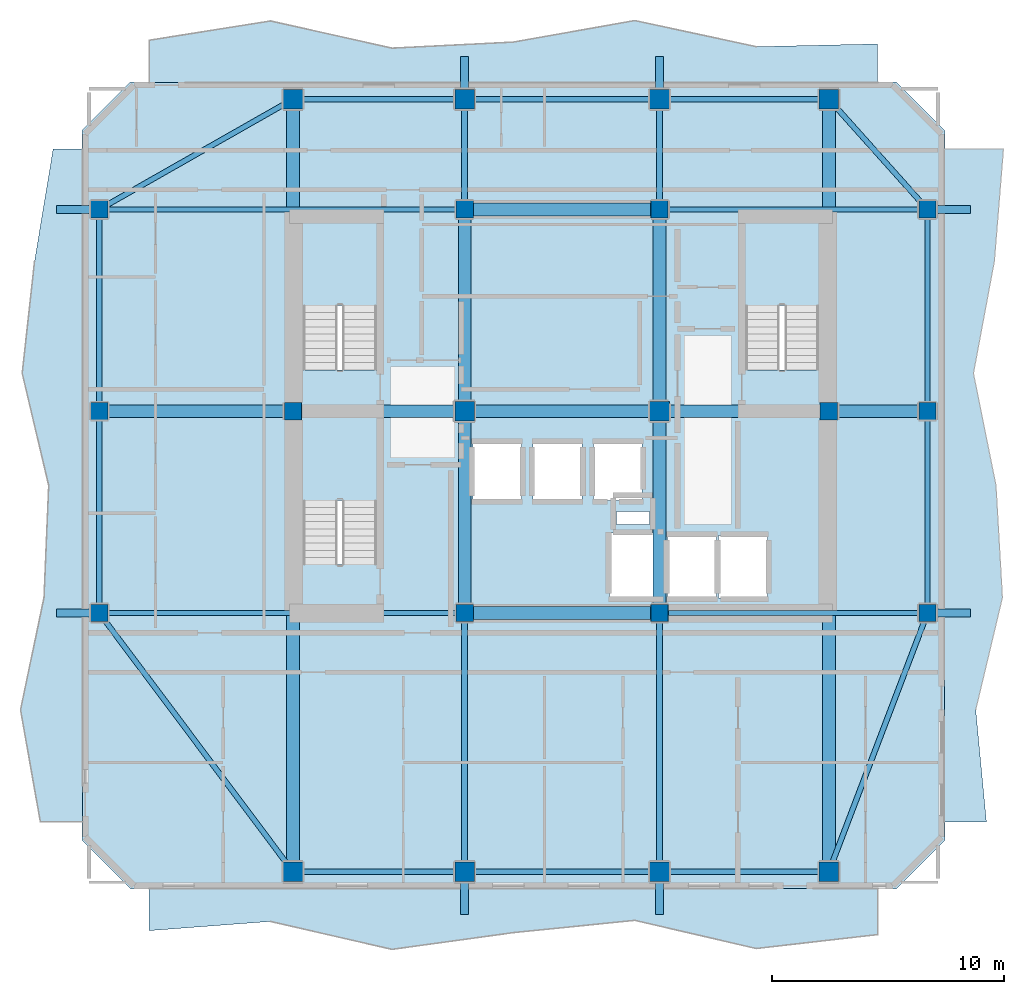
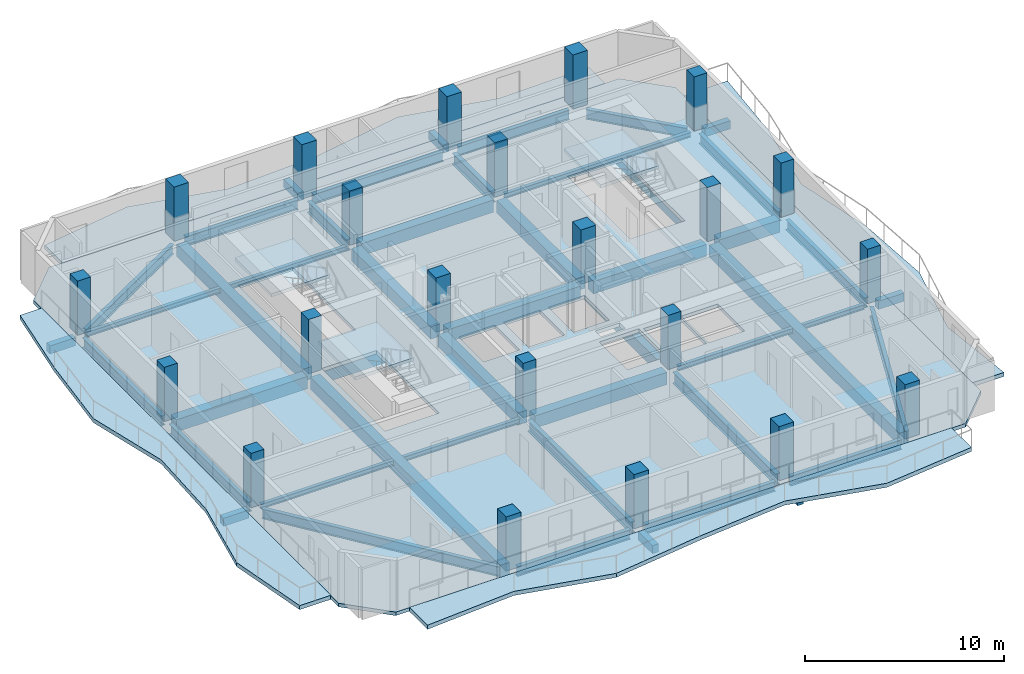
# One storey, part 1 of 10: 45 beams, 22 columns, 8 slabs, 3 elements without a shape of their own.
"""IFC4 building model written with IfcOpenShell, lengths in metres."""

from ifc_helpers import new_model, si_unit, direction, frame, origin, origin_2d, place, context, subcontext, project, spatial, polyline, rectangle, i_section, outline, extrude, material, layer, layer_set, material_profile, profile_set, type_object, element, aggregate, save


model = new_model("IFC4")

# Units and contexts
model_context = context("Model", 3, precision=1e-05, world=origin(), true_north=direction((0.0, 1.0)))
body_context = subcontext(model_context, "Body", "Model", "MODEL_VIEW")
ifc_project = project(units=[si_unit("LENGTHUNIT", "METRE"), si_unit("AREAUNIT", "SQUARE_METRE"), si_unit("VOLUMEUNIT", "CUBIC_METRE"), si_unit("PLANEANGLEUNIT", "RADIAN"), si_unit("MASSUNIT", "GRAM", prefix="KILO")], contexts=[model_context])

# Site, building, storey
site_placement = place(None, origin())
site = spatial("IfcSite", under=ifc_project, at=site_placement, CompositionType="ELEMENT")
building_placement = place(site_placement, origin())
building = spatial("IfcBuilding", under=site, at=building_placement, Name="Solanera Arch Residences", CompositionType="ELEMENT")
storey_placement = place(building_placement, frame((0.0, 0.0, 193.47998046875)))
storey = spatial("IfcBuildingStorey", under=building, at=storey_placement, Name="L56", CompositionType="ELEMENT", Elevation=193.47998046875)

# Columns
ifc_material_1 = material(Name="Concrete C40/50 (f'c = 45 MPa)", Category="concrete")
ifc_material_profile_1 = material_profile(ifc_material_1, rectangle(XDim=0.75, YDim=0.75, at=origin_2d()))
ifc_profile_set_1 = profile_set([ifc_material_profile_1], Name="Concrete C40/50 (f'c = 45 MPa)")
column_type_1 = type_object("IfcColumnType", Name="Structural Column RC-COL-750X750", PredefinedType="COLUMN", material=ifc_profile_set_1)
for number, where, z_axis, x_axis, name in (
    (1, (20.800048828125, 22.0, 0.0), (0.0, 0.0, 1.0), (1.0, 0.0, 0.0), "COL-L56-CB-SW"),
    (2, (29.199951171875, 22.0, 0.0), (0.0, 0.0, 1.0), (1.0, 0.0, 0.0), "COL-L56-CB-SE"),
    (3, (20.800048828125, 39.39990234375, 0.0), (0.0, 0.0, 1.0), (1.0, 0.0, 0.0), "COL-L56-CB-NW"),
    (4, (29.199951171875, 39.39990234375, 0.0), (0.0, 0.0, 1.0), (1.0, 0.0, 0.0), "COL-L56-CB-NE"),
    (5, (13.39990234375, 30.699951171875, 0.0), (0.0, 0.0, 1.0), (1.0, 0.0, 0.0), "COL-L56-CB-WW"),
    (6, (36.5, 30.699951171875, 0.0), (0.0, 0.0, 1.0), (1.0, 0.0, 0.0), "COL-L56-CB-EE"),
    (7, (5.050048828125, 22.0, 0.0), (0.0, 0.0, 1.0), (1.0, 0.0, 0.0), "COL-L56-TWR-09"),
    (8, (40.75, 22.0, 0.0), (0.0, 0.0, 1.0), (1.0, 0.0, 0.0), "COL-L56-TWR-10"),
    (9, (5.050048828125, 30.699951171875, 0.0), (0.0, 0.0, 1.0), (1.0, 0.0, 0.0), "COL-L56-TWR-11"),
    (10, (40.75, 30.699951171875, 0.0), (0.0, 0.0, 1.0), (1.0, 0.0, 0.0), "COL-L56-TWR-12"),
    (11, (5.050048828125, 39.39990234375, 0.0), (0.0, 0.0, 1.0), (1.0, 0.0, 0.0), "COL-L56-TWR-13"),
    (12, (40.75, 39.39990234375, 0.0), (0.0, 0.0, 1.0), (1.0, 0.0, 0.0), "COL-L56-TWR-14"),
):
    element("IfcColumn", number, at=place(storey_placement, frame(where, z_axis=z_axis, x_axis=x_axis)), inside=storey, type_object=column_type_1, Name=name, PredefinedType="COLUMN", context=body_context, shape_type="SweptSolid", body=[
        extrude(rectangle(XDim=0.75, YDim=0.75, at=origin_2d()), origin(), (0.0, 0.0, 1.0), 3.320068359375),
    ])
ifc_material_2 = material(Name="Concrete C40/50 (f'c = 45 MPa)", Category="concrete")
ifc_material_profile_2 = material_profile(ifc_material_2, rectangle(XDim=0.85009765625, YDim=0.85009765625, at=origin_2d()))
ifc_profile_set_2 = profile_set([ifc_material_profile_2], Name="Concrete C40/50 (f'c = 45 MPa)")
column_type_2 = type_object("IfcColumnType", Name="Structural Column RC-COL-850X850", PredefinedType="COLUMN", material=ifc_profile_set_2)
for number, where, z_axis, x_axis, name in (
    (13, (20.800048828125, 30.699951171875, 0.0), (0.0, 0.0, 1.0), (1.0, 0.0, 0.0), "COL-L56-CORE-W"),
    (14, (29.199951171875, 30.699951171875, 0.0), (0.0, 0.0, 1.0), (1.0, 0.0, 0.0), "COL-L56-CORE-E"),
    (15, (13.39990234375, 10.85009765625, 0.0), (0.0, 0.0, 1.0), (1.0, 0.0, 0.0), "COL-L56-TWR-01"),
    (16, (13.39990234375, 44.14990234375, 0.0), (0.0, 0.0, 1.0), (1.0, 0.0, 0.0), "COL-L56-TWR-02"),
    (17, (20.800048828125, 10.85009765625, 0.0), (0.0, 0.0, 1.0), (1.0, 0.0, 0.0), "COL-L56-TWR-03"),
    (18, (20.800048828125, 44.14990234375, 0.0), (0.0, 0.0, 1.0), (1.0, 0.0, 0.0), "COL-L56-TWR-04"),
    (19, (29.199951171875, 10.85009765625, 0.0), (0.0, 0.0, 1.0), (1.0, 0.0, 0.0), "COL-L56-TWR-05"),
    (20, (29.199951171875, 44.14990234375, 0.0), (0.0, 0.0, 1.0), (1.0, 0.0, 0.0), "COL-L56-TWR-06"),
    (21, (36.5, 10.85009765625, 0.0), (0.0, 0.0, 1.0), (1.0, 0.0, 0.0), "COL-L56-TWR-07"),
    (22, (36.5, 44.14990234375, 0.0), (0.0, 0.0, 1.0), (1.0, 0.0, 0.0), "COL-L56-TWR-08"),
):
    element("IfcColumn", number, at=place(storey_placement, frame(where, z_axis=z_axis, x_axis=x_axis)), inside=storey, type_object=column_type_2, Name=name, PredefinedType="COLUMN", context=body_context, shape_type="SweptSolid", body=[
        extrude(rectangle(XDim=0.85009765625, YDim=0.85009765625, at=origin_2d()), origin(), (0.0, 0.0, 1.0), 3.320068359375),
    ])

# Beams
ifc_material_3 = material(Name="Concrete C40/50 (f'c = 45 MPa)", Category="concrete")
ifc_material_profile_3 = material_profile(ifc_material_3, rectangle(XDim=0.35009765625, YDim=0.5, at=origin_2d()))
ifc_profile_set_3 = profile_set([ifc_material_profile_3], Name="Concrete C40/50 (f'c = 45 MPa)")
beam_type_1 = type_object("IfcBeamType", Name="BM-BALC-RIB", PredefinedType="BEAM", material=ifc_profile_set_3)
for number, where, z_axis, x_axis, name in (
    (23, (20.800048828125, 9.0, -0.5), (0.0, 1.0, 0.0), (-1.0, 0.0, 0.0), "BM-L56-BRIB-S1"),
    (24, (29.199951171875, 9.0, -0.5), (0.0, 1.0, 0.0), (-1.0, 0.0, 0.0), "BM-L56-BRIB-S2"),
    (25, (20.800048828125, 44.574951171875, -0.5), (0.0, 1.0, 0.0), (-1.0, 0.0, 0.0), "BM-L56-BRIB-N1"),
    (26, (29.199951171875, 44.574951171875, -0.5), (0.0, 1.0, 0.0), (-1.0, 0.0, 0.0), "BM-L56-BRIB-N2"),
):
    element("IfcBeam", number, at=place(storey_placement, frame(where, z_axis=z_axis, x_axis=x_axis)), inside=storey, type_object=beam_type_1, Name=name, PredefinedType="BEAM", context=body_context, shape_type="SweptSolid", body=[
        extrude(rectangle(XDim=0.35009765625, YDim=0.5, at=origin_2d()), origin(), (0.0, 0.0, 1.0), 1.425048828125),
    ])
for number, where, z_axis, x_axis, name in (
    (27, (41.125, 22.0, -0.5), (1.0, 0.0, 0.0), (0.0, 1.0, 0.0), "BM-L56-BRIB-E1"),
    (28, (41.125, 39.39990234375, -0.5), (1.0, 0.0, 0.0), (0.0, 1.0, 0.0), "BM-L56-BRIB-E2"),
    (29, (3.199951171875, 22.0, -0.5), (1.0, 0.0, 0.0), (0.0, 1.0, 0.0), "BM-L56-BRIB-W1"),
    (30, (3.199951171875, 39.39990234375, -0.5), (1.0, 0.0, 0.0), (0.0, 1.0, 0.0), "BM-L56-BRIB-W2"),
):
    element("IfcBeam", number, at=place(storey_placement, frame(where, z_axis=z_axis, x_axis=x_axis)), inside=storey, type_object=beam_type_1, Name=name, PredefinedType="BEAM", context=body_context, shape_type="SweptSolid", body=[
        extrude(rectangle(XDim=0.35009765625, YDim=0.5, at=origin_2d()), origin(), (0.0, 0.0, 1.0), 1.47509765625),
    ])
ifc_material_4 = material(Name="Concrete C40/50 (f'c = 45 MPa)", Category="concrete")
ifc_material_profile_4 = material_profile(ifc_material_4, rectangle(XDim=0.550048828125, YDim=0.75, at=origin_2d()))
ifc_profile_set_4 = profile_set([ifc_material_profile_4], Name="Concrete C40/50 (f'c = 45 MPa)")
beam_type_2 = type_object("IfcBeamType", Name="Primary Beam RC-BM-550X750", PredefinedType="BEAM", material=ifc_profile_set_4)
beam_1_placement = place(storey_placement, frame((20.800048828125, 22.37890625, -0.594970703125), z_axis=(0.0, 1.0, 0.0), x_axis=(-1.0, 0.0, 0.0)))
element("IfcBeam", 31, at=beam_1_placement, inside=storey, type_object=beam_type_2, Name="BM-L56-CC-S-208", PredefinedType="BEAM", context=body_context, shape_type="SweptSolid", body=[
    extrude(rectangle(XDim=0.550048828125, YDim=0.75, at=origin_2d()), origin(), (0.0, 0.0, 1.0), 7.942138671875),
])
beam_2_placement = place(storey_placement, frame((20.800048828125, 31.0791015625, -0.594970703125), z_axis=(0.0, 1.0, 0.0), x_axis=(-1.0, 0.0, 0.0)))
element("IfcBeam", 32, at=beam_2_placement, inside=storey, type_object=beam_type_2, Name="BM-L56-CC-N-208", PredefinedType="BEAM", context=body_context, shape_type="SweptSolid", body=[
    extrude(rectangle(XDim=0.550048828125, YDim=0.75, at=origin_2d()), origin(), (0.0, 0.0, 1.0), 7.94189453125),
])
beam_3_placement = place(storey_placement, frame((29.199951171875, 22.37890625, -0.594970703125), z_axis=(0.0, 1.0, 0.0), x_axis=(-1.0, 0.0, 0.0)))
element("IfcBeam", 33, at=beam_3_placement, inside=storey, type_object=beam_type_2, Name="BM-L56-CC-S-292", PredefinedType="BEAM", context=body_context, shape_type="SweptSolid", body=[
    extrude(rectangle(XDim=0.550048828125, YDim=0.75, at=origin_2d()), origin(), (0.0, 0.0, 1.0), 7.942138671875),
])
beam_4_placement = place(storey_placement, frame((29.199951171875, 31.0791015625, -0.594970703125), z_axis=(0.0, 1.0, 0.0), x_axis=(-1.0, 0.0, 0.0)))
element("IfcBeam", 34, at=beam_4_placement, inside=storey, type_object=beam_type_2, Name="BM-L56-CC-N-292", PredefinedType="BEAM", context=body_context, shape_type="SweptSolid", body=[
    extrude(rectangle(XDim=0.550048828125, YDim=0.75, at=origin_2d()), origin(), (0.0, 0.0, 1.0), 7.94189453125),
])
for number, where, z_axis, x_axis, name in (
    (35, (21.178955078125, 22.0, -0.594970703125), (1.0, 0.0, 0.0), (0.0, 1.0, 0.0), "BM-L56-CC-M-220"),
    (36, (21.178955078125, 30.699951171875, -0.594970703125), (1.0, 0.0, 0.0), (0.0, 1.0, 0.0), "BM-L56-CC-M-307"),
    (37, (21.178955078125, 39.39990234375, -0.594970703125), (1.0, 0.0, 0.0), (0.0, 1.0, 0.0), "BM-L56-CC-M-394"),
):
    element("IfcBeam", number, at=place(storey_placement, frame(where, z_axis=z_axis, x_axis=x_axis)), inside=storey, type_object=beam_type_2, Name=name, PredefinedType="BEAM", context=body_context, shape_type="SweptSolid", body=[
        extrude(rectangle(XDim=0.550048828125, YDim=0.75, at=origin_2d()), origin(), (0.0, 0.0, 1.0), 7.64208984375),
    ])
beam_5_placement = place(storey_placement, frame((13.779052734375, 30.699951171875, -0.594970703125), z_axis=(1.0, 0.0, 0.0), x_axis=(0.0, 1.0, 0.0)))
element("IfcBeam", 38, at=beam_5_placement, inside=storey, type_object=beam_type_2, Name="BM-L56-CC-W", PredefinedType="BEAM", context=body_context, shape_type="SweptSolid", body=[
    extrude(rectangle(XDim=0.550048828125, YDim=0.75, at=origin_2d()), origin(), (0.0, 0.0, 1.0), 6.641845703125),
])
beam_6_placement = place(storey_placement, frame((29.5791015625, 30.699951171875, -0.594970703125), z_axis=(1.0, 0.0, 0.0), x_axis=(0.0, 1.0, 0.0)))
element("IfcBeam", 39, at=beam_6_placement, inside=storey, type_object=beam_type_2, Name="BM-L56-CC-E", PredefinedType="BEAM", context=body_context, shape_type="SweptSolid", body=[
    extrude(rectangle(XDim=0.550048828125, YDim=0.75, at=origin_2d()), origin(), (0.0, 0.0, 1.0), 6.5419921875),
])
beam_7_placement = place(storey_placement, frame((13.39990234375, 11.279052734375, -0.594970703125), z_axis=(0.0, 1.0, 0.0), x_axis=(-1.0, 0.0, 0.0)))
element("IfcBeam", 40, at=beam_7_placement, inside=storey, type_object=beam_type_2, Name="BM-L56-RAD-OS-134", PredefinedType="BEAM", context=body_context, shape_type="SweptSolid", body=[
    extrude(rectangle(XDim=0.550048828125, YDim=0.75, at=origin_2d()), origin(), (0.0, 0.0, 1.0), 19.0419921875),
])
beam_8_placement = place(storey_placement, frame((13.39990234375, 31.0791015625, -0.594970703125), z_axis=(0.0, 1.0, 0.0), x_axis=(-1.0, 0.0, 0.0)))
element("IfcBeam", 41, at=beam_8_placement, inside=storey, type_object=beam_type_2, Name="BM-L56-RAD-ON-134", PredefinedType="BEAM", context=body_context, shape_type="SweptSolid", body=[
    extrude(rectangle(XDim=0.550048828125, YDim=0.75, at=origin_2d()), origin(), (0.0, 0.0, 1.0), 12.641845703125),
])
beam_9_placement = place(storey_placement, frame((36.5, 11.279052734375, -0.594970703125), z_axis=(0.0, 1.0, 0.0), x_axis=(-1.0, 0.0, 0.0)))
element("IfcBeam", 42, at=beam_9_placement, inside=storey, type_object=beam_type_2, Name="BM-L56-RAD-OS-365", PredefinedType="BEAM", context=body_context, shape_type="SweptSolid", body=[
    extrude(rectangle(XDim=0.550048828125, YDim=0.75, at=origin_2d()), origin(), (0.0, 0.0, 1.0), 19.0419921875),
])
beam_10_placement = place(storey_placement, frame((36.5, 31.0791015625, -0.594970703125), z_axis=(0.0, 1.0, 0.0), x_axis=(-1.0, 0.0, 0.0)))
element("IfcBeam", 43, at=beam_10_placement, inside=storey, type_object=beam_type_2, Name="BM-L56-RAD-ON-365", PredefinedType="BEAM", context=body_context, shape_type="SweptSolid", body=[
    extrude(rectangle(XDim=0.550048828125, YDim=0.75, at=origin_2d()), origin(), (0.0, 0.0, 1.0), 12.641845703125),
])
beam_11_placement = place(storey_placement, frame((5.428955078125, 30.699951171875, -0.594970703125), z_axis=(1.0, 0.0, 0.0), x_axis=(0.0, 1.0, 0.0)))
element("IfcBeam", 44, at=beam_11_placement, inside=storey, type_object=beam_type_2, Name="BM-L56-RAD-MW", PredefinedType="BEAM", context=body_context, shape_type="SweptSolid", body=[
    extrude(rectangle(XDim=0.550048828125, YDim=0.75, at=origin_2d()), origin(), (0.0, 0.0, 1.0), 7.592041015625),
])
beam_12_placement = place(storey_placement, frame((36.87890625, 30.699951171875, -0.594970703125), z_axis=(1.0, 0.0, 0.0), x_axis=(0.0, 1.0, 0.0)))
element("IfcBeam", 45, at=beam_12_placement, inside=storey, type_object=beam_type_2, Name="BM-L56-RAD-ME", PredefinedType="BEAM", context=body_context, shape_type="SweptSolid", body=[
    extrude(rectangle(XDim=0.550048828125, YDim=0.75, at=origin_2d()), origin(), (0.0, 0.0, 1.0), 3.4921875),
])
ifc_material_5 = material(Name="Steel S355 (ASTM A992 / A572 Grade 50)", Category="steel")
ifc_material_profile_5 = material_profile(ifc_material_5, i_section(OverallWidth=0.256103515625, OverallDepth=0.693115234375, WebThickness=0.014404296875, FlangeThickness=0.023681640625, at=origin_2d()))
ifc_profile_set_5 = profile_set([ifc_material_profile_5], Name="Steel S355 (ASTM A992 / A572 Grade 50)")
beam_type_3 = type_object("IfcBeamType", Name="Primary Beam W690X170", PredefinedType="BEAM", material=ifc_profile_set_5)
beam_13_placement = place(storey_placement, frame((20.800048828125, 11.279052734375, -0.56689453125), z_axis=(0.0, 1.0, 0.0), x_axis=(-1.0, 0.0, 0.0)))
element("IfcBeam", 46, at=beam_13_placement, inside=storey, type_object=beam_type_3, Name="BM-L56-RAD-S-208", PredefinedType="BEAM", context=body_context, shape_type="SweptSolid", body=[
    extrude(i_section(OverallWidth=0.256103515625, OverallDepth=0.693115234375, WebThickness=0.014404296875, FlangeThickness=0.023681640625, at=origin_2d()), origin(), (0.0, 0.0, 1.0), 10.342041015625),
])
beam_14_placement = place(storey_placement, frame((20.800048828125, 39.779052734375, -0.56689453125), z_axis=(0.0, 1.0, 0.0), x_axis=(-1.0, 0.0, 0.0)))
element("IfcBeam", 47, at=beam_14_placement, inside=storey, type_object=beam_type_3, Name="BM-L56-RAD-N-208", PredefinedType="BEAM", context=body_context, shape_type="SweptSolid", body=[
    extrude(i_section(OverallWidth=0.256103515625, OverallDepth=0.693115234375, WebThickness=0.014404296875, FlangeThickness=0.023681640625, at=origin_2d()), origin(), (0.0, 0.0, 1.0), 3.94189453125),
])
beam_15_placement = place(storey_placement, frame((29.199951171875, 11.279052734375, -0.56689453125), z_axis=(0.0, 1.0, 0.0), x_axis=(-1.0, 0.0, 0.0)))
element("IfcBeam", 48, at=beam_15_placement, inside=storey, type_object=beam_type_3, Name="BM-L56-RAD-S-292", PredefinedType="BEAM", context=body_context, shape_type="SweptSolid", body=[
    extrude(i_section(OverallWidth=0.256103515625, OverallDepth=0.693115234375, WebThickness=0.014404296875, FlangeThickness=0.023681640625, at=origin_2d()), origin(), (0.0, 0.0, 1.0), 10.342041015625),
])
beam_16_placement = place(storey_placement, frame((29.199951171875, 39.779052734375, -0.56689453125), z_axis=(0.0, 1.0, 0.0), x_axis=(-1.0, 0.0, 0.0)))
element("IfcBeam", 49, at=beam_16_placement, inside=storey, type_object=beam_type_3, Name="BM-L56-RAD-N-292", PredefinedType="BEAM", context=body_context, shape_type="SweptSolid", body=[
    extrude(i_section(OverallWidth=0.256103515625, OverallDepth=0.693115234375, WebThickness=0.014404296875, FlangeThickness=0.023681640625, at=origin_2d()), origin(), (0.0, 0.0, 1.0), 3.94189453125),
])
ifc_material_6 = material(Name="Steel S355 (ASTM A992 / A572 Grade 50)", Category="steel")
ifc_material_profile_6 = material_profile(ifc_material_6, i_section(OverallWidth=0.202880859375, OverallDepth=0.302978515625, WebThickness=0.007568359375, FlangeThickness=0.01318359375, at=origin_2d()))
ifc_profile_set_6 = profile_set([ifc_material_profile_6], Name="Steel S355 (ASTM A992 / A572 Grade 50)")
beam_type_4 = type_object("IfcBeamType", Name="Secondary Joist W310X60", PredefinedType="JOIST", material=ifc_profile_set_6)
beam_17_placement = place(storey_placement, frame((5.428955078125, 22.0, -0.3720703125), z_axis=(1.0, 0.0, 0.0), x_axis=(0.0, 1.0, 0.0)))
element("IfcBeam", 50, at=beam_17_placement, inside=storey, type_object=beam_type_4, Name="BM-L56-RAD-W-220", PredefinedType="JOIST", context=body_context, shape_type="SweptSolid", body=[
    extrude(i_section(OverallWidth=0.202880859375, OverallDepth=0.302978515625, WebThickness=0.007568359375, FlangeThickness=0.01318359375, at=origin_2d()), origin(), (0.0, 0.0, 1.0), 14.991943359375),
])
beam_18_placement = place(storey_placement, frame((29.5791015625, 22.0, -0.3720703125), z_axis=(1.0, 0.0, 0.0), x_axis=(0.0, 1.0, 0.0)))
element("IfcBeam", 51, at=beam_18_placement, inside=storey, type_object=beam_type_4, Name="BM-L56-RAD-E-220", PredefinedType="JOIST", context=body_context, shape_type="SweptSolid", body=[
    extrude(i_section(OverallWidth=0.202880859375, OverallDepth=0.302978515625, WebThickness=0.007568359375, FlangeThickness=0.01318359375, at=origin_2d()), origin(), (0.0, 0.0, 1.0), 10.7919921875),
])
beam_19_placement = place(storey_placement, frame((5.428955078125, 39.39990234375, -0.3720703125), z_axis=(1.0, 0.0, 0.0), x_axis=(0.0, 1.0, 0.0)))
element("IfcBeam", 52, at=beam_19_placement, inside=storey, type_object=beam_type_4, Name="BM-L56-RAD-W-394", PredefinedType="JOIST", context=body_context, shape_type="SweptSolid", body=[
    extrude(i_section(OverallWidth=0.202880859375, OverallDepth=0.302978515625, WebThickness=0.007568359375, FlangeThickness=0.01318359375, at=origin_2d()), origin(), (0.0, 0.0, 1.0), 14.991943359375),
])
beam_20_placement = place(storey_placement, frame((29.5791015625, 39.39990234375, -0.3720703125), z_axis=(1.0, 0.0, 0.0), x_axis=(0.0, 1.0, 0.0)))
element("IfcBeam", 53, at=beam_20_placement, inside=storey, type_object=beam_type_4, Name="BM-L56-RAD-E-394", PredefinedType="JOIST", context=body_context, shape_type="SweptSolid", body=[
    extrude(i_section(OverallWidth=0.202880859375, OverallDepth=0.302978515625, WebThickness=0.007568359375, FlangeThickness=0.01318359375, at=origin_2d()), origin(), (0.0, 0.0, 1.0), 10.7919921875),
])
ifc_material_7 = material(Name="Steel S355 (ASTM A992 / A572 Grade 50)", Category="steel")
ifc_material_profile_7 = material_profile(ifc_material_7, i_section(OverallWidth=0.22802734375, OverallDepth=0.60791015625, WebThickness=0.01123046875, FlangeThickness=0.017333984375, at=origin_2d()))
ifc_profile_set_7 = profile_set([ifc_material_profile_7], Name="Steel S355 (ASTM A992 / A572 Grade 50)")
beam_type_5 = type_object("IfcBeamType", Name="Spandrel Beam W610X113", PredefinedType="SPANDREL", material=ifc_profile_set_7)
for number, where, z_axis, x_axis, name in (
    (54, (13.8291015625, 10.85009765625, -0.52392578125), (1.0, 0.0, 0.0), (0.0, 1.0, 0.0), "BM-L56-SPN-S-1"),
    (55, (13.8291015625, 44.14990234375, -0.52392578125), (1.0, 0.0, 0.0), (0.0, 1.0, 0.0), "BM-L56-SPN-N-1"),
):
    element("IfcBeam", number, at=place(storey_placement, frame(where, z_axis=z_axis, x_axis=x_axis)), inside=storey, type_object=beam_type_5, Name=name, PredefinedType="SPANDREL", context=body_context, shape_type="SweptSolid", body=[
        extrude(i_section(OverallWidth=0.22802734375, OverallDepth=0.60791015625, WebThickness=0.01123046875, FlangeThickness=0.017333984375, at=origin_2d()), origin(), (0.0, 0.0, 1.0), 6.5419921875),
    ])
for number, where, z_axis, x_axis, name in (
    (56, (21.22900390625, 10.85009765625, -0.52392578125), (1.0, 0.0, 0.0), (0.0, 1.0, 0.0), "BM-L56-SPN-S-2"),
    (57, (21.22900390625, 44.14990234375, -0.52392578125), (1.0, 0.0, 0.0), (0.0, 1.0, 0.0), "BM-L56-SPN-N-2"),
):
    element("IfcBeam", number, at=place(storey_placement, frame(where, z_axis=z_axis, x_axis=x_axis)), inside=storey, type_object=beam_type_5, Name=name, PredefinedType="SPANDREL", context=body_context, shape_type="SweptSolid", body=[
        extrude(i_section(OverallWidth=0.22802734375, OverallDepth=0.60791015625, WebThickness=0.01123046875, FlangeThickness=0.017333984375, at=origin_2d()), origin(), (0.0, 0.0, 1.0), 7.5419921875),
    ])
for number, where, z_axis, x_axis, name in (
    (58, (29.62890625, 10.85009765625, -0.52392578125), (1.0, 0.0, 0.0), (0.0, 1.0, 0.0), "BM-L56-SPN-S-3"),
    (59, (29.62890625, 44.14990234375, -0.52392578125), (1.0, 0.0, 0.0), (0.0, 1.0, 0.0), "BM-L56-SPN-N-3"),
):
    element("IfcBeam", number, at=place(storey_placement, frame(where, z_axis=z_axis, x_axis=x_axis)), inside=storey, type_object=beam_type_5, Name=name, PredefinedType="SPANDREL", context=body_context, shape_type="SweptSolid", body=[
        extrude(i_section(OverallWidth=0.22802734375, OverallDepth=0.60791015625, WebThickness=0.01123046875, FlangeThickness=0.017333984375, at=origin_2d()), origin(), (0.0, 0.0, 1.0), 6.442138671875),
    ])
for number, where, z_axis, x_axis, name in (
    (60, (5.050048828125, 22.37890625, -0.52392578125), (0.0, 1.0, 0.0), (-1.0, 0.0, 0.0), "BM-L56-SPN-W-1"),
    (61, (40.75, 22.37890625, -0.52392578125), (0.0, 1.0, 0.0), (-1.0, 0.0, 0.0), "BM-L56-SPN-E-1"),
):
    element("IfcBeam", number, at=place(storey_placement, frame(where, z_axis=z_axis, x_axis=x_axis)), inside=storey, type_object=beam_type_5, Name=name, PredefinedType="SPANDREL", context=body_context, shape_type="SweptSolid", body=[
        extrude(i_section(OverallWidth=0.22802734375, OverallDepth=0.60791015625, WebThickness=0.01123046875, FlangeThickness=0.017333984375, at=origin_2d()), origin(), (0.0, 0.0, 1.0), 7.942138671875),
    ])
for number, where, z_axis, x_axis, name in (
    (62, (5.050048828125, 31.0791015625, -0.52392578125), (0.0, 1.0, 0.0), (-1.0, 0.0, 0.0), "BM-L56-SPN-W-2"),
    (63, (40.75, 31.0791015625, -0.52392578125), (0.0, 1.0, 0.0), (-1.0, 0.0, 0.0), "BM-L56-SPN-E-2"),
):
    element("IfcBeam", number, at=place(storey_placement, frame(where, z_axis=z_axis, x_axis=x_axis)), inside=storey, type_object=beam_type_5, Name=name, PredefinedType="SPANDREL", context=body_context, shape_type="SweptSolid", body=[
        extrude(i_section(OverallWidth=0.22802734375, OverallDepth=0.60791015625, WebThickness=0.01123046875, FlangeThickness=0.017333984375, at=origin_2d()), origin(), (0.0, 0.0, 1.0), 7.94189453125),
    ])
beam_21_placement = place(storey_placement, frame((13.0791015625, 11.278076171875, -0.52392578125), z_axis=(-0.599410401798, 0.80044185936, 0.0), x_axis=(-0.80044185936, -0.599410401798, 0.0)))
element("IfcBeam", 64, at=beam_21_placement, inside=storey, type_object=beam_type_5, Name="BM-L56-SPN-SW", PredefinedType="SPANDREL", context=body_context, shape_type="SweptSolid", body=[
    extrude(i_section(OverallWidth=0.22802734375, OverallDepth=0.60791015625, WebThickness=0.01123046875, FlangeThickness=0.017333984375, at=origin_2d()), origin(), (0.0, 0.0, 1.0), 12.9228515625),
])
beam_22_placement = place(storey_placement, frame((12.971923828125, 43.906005859375, -0.52392578125), z_axis=(-0.869224697454, -0.494417258332, 0.0), x_axis=(0.494417258332, -0.869224697454, 0.0)))
element("IfcBeam", 65, at=beam_22_placement, inside=storey, type_object=beam_type_5, Name="BM-L56-SPN-NW", PredefinedType="SPANDREL", context=body_context, shape_type="SweptSolid", body=[
    extrude(i_section(OverallWidth=0.22802734375, OverallDepth=0.60791015625, WebThickness=0.01123046875, FlangeThickness=0.017333984375, at=origin_2d()), origin(), (0.0, 0.0, 1.0), 8.678955078125),
])
beam_23_placement = place(storey_placement, frame((36.6630859375, 11.279052734375, -0.52392578125), z_axis=(0.356235638105, 0.93439615268, 0.0), x_axis=(-0.93439615268, 0.356235638105, 0.0)))
element("IfcBeam", 66, at=beam_23_placement, inside=storey, type_object=beam_type_5, Name="BM-L56-SPN-SE", PredefinedType="SPANDREL", context=body_context, shape_type="SweptSolid", body=[
    extrude(i_section(OverallWidth=0.22802734375, OverallDepth=0.60791015625, WebThickness=0.01123046875, FlangeThickness=0.017333984375, at=origin_2d()), origin(), (0.0, 0.0, 1.0), 11.068115234375),
])
beam_24_placement = place(storey_placement, frame((36.860107421875, 43.748046875, -0.52392578125), z_axis=(0.66678682148, -0.745248505333, 0.0), x_axis=(0.745248505333, 0.66678682148, 0.0)))
element("IfcBeam", 67, at=beam_24_placement, inside=storey, type_object=beam_type_5, Name="BM-L56-SPN-NE", PredefinedType="SPANDREL", context=body_context, shape_type="SweptSolid", body=[
    extrude(i_section(OverallWidth=0.22802734375, OverallDepth=0.60791015625, WebThickness=0.01123046875, FlangeThickness=0.017333984375, at=origin_2d()), origin(), (0.0, 0.0, 1.0), 5.3271484375),
])

# Slabs
ifc_material_8 = material(Name="Concrete C40/50 (f'c = 45 MPa)", Category="concrete")
ifc_layer_1 = layer(ifc_material_8, 0.25)
ifc_layer_set_1 = layer_set([ifc_layer_1], Name="Concrete C40/50 (f'c = 45 MPa)")
slab_type_1 = type_object("IfcSlabType", Name="Balcony Slab 250", PredefinedType="FLOOR", material=ifc_layer_set_1)
slab_1_placement = place(storey_placement, frame((0.0, 0.0, -0.25)))
element("IfcSlab", 68, at=slab_1_placement, inside=storey, type_object=slab_type_1, Name="L56 S Rippling Brise-Soleil Balcony Slab", PredefinedType="FLOOR", context=body_context, shape_type="SweptSolid", body=[
    extrude(outline(polyline([(7.199951171875, 8.30810546875), (12.43310546875, 8.7060546875), (17.6669921875, 7.50390625), (22.89990234375, 8.22509765625), (28.133056640625, 8.7548828125), (33.366943359375, 7.541015625), (38.60009765625, 8.14111328125), (38.60009765625, 10.1201171875), (7.199951171875, 10.1201171875), (7.199951171875, 8.30810546875)])), origin(), (0.0, 0.0, 1.0), 0.25),
])
slab_2_placement = place(storey_placement, frame((0.0, 0.0, -0.25)))
element("IfcSlab", 69, at=slab_2_placement, inside=storey, type_object=slab_type_1, Name="L56 N Rippling Brise-Soleil Balcony Slab", PredefinedType="FLOOR", context=body_context, shape_type="SweptSolid", body=[
    extrude(outline(polyline([(38.60009765625, 46.533935546875), (33.366943359375, 46.4150390625), (28.133056640625, 47.541015625), (22.89990234375, 46.612060546875), (17.6669921875, 46.35107421875), (12.43310546875, 47.52294921875), (7.199951171875, 46.69189453125), (7.199951171875, 44.8798828125), (38.60009765625, 44.8798828125), (38.60009765625, 46.533935546875)])), origin(), (0.0, 0.0, 1.0), 0.25),
])
slab_3_placement = place(storey_placement, frame((0.0, 0.0, -0.25)))
element("IfcSlab", 70, at=slab_3_placement, inside=storey, type_object=slab_type_1, Name="L56 E Rippling Brise-Soleil Balcony Slab", PredefinedType="FLOOR", context=body_context, shape_type="SweptSolid", body=[
    extrude(outline(polyline([(43.2919921875, 13.0), (42.830078125, 17.8330078125), (43.97998046875, 22.6669921875), (43.702880859375, 27.5), (42.73095703125, 32.3330078125), (43.633056640625, 37.1669921875), (44.02490234375, 42.0), (41.47998046875, 42.0), (41.47998046875, 13.0), (43.2919921875, 13.0)])), origin(), (0.0, 0.0, 1.0), 0.25),
])
slab_4_placement = place(storey_placement, frame((0.0, 0.0, -0.25)))
element("IfcSlab", 71, at=slab_4_placement, inside=storey, type_object=slab_type_1, Name="L56 W Rippling Brise-Soleil Balcony Slab", PredefinedType="FLOOR", context=body_context, shape_type="SweptSolid", body=[
    extrude(outline(polyline([(3.05810546875, 42.0), (2.258056640625, 37.1669921875), (1.72705078125, 32.3330078125), (2.868896484375, 27.5), (2.666015625, 22.6669921875), (1.655029296875, 17.8330078125), (2.508056640625, 13.0), (4.320068359375, 13.0), (4.320068359375, 42.0), (3.05810546875, 42.0)])), origin(), (0.0, 0.0, 1.0), 0.25),
])

# Stair, slab
ifc_material_9 = material(Name="Concrete C40/50 (f'c = 45 MPa)", Category="concrete")
stair_type = type_object("IfcStairType", Name="Tower Dogleg Exit Stair 1480", PredefinedType="HALF_TURN_STAIR", material=ifc_material_9)
stair_1_placement = place(storey_placement, origin())
stair_1 = element("IfcStair", 72, at=stair_1_placement, inside=storey, type_object=stair_type, Name="L56 Tower Core Exit Stair 1", PredefinedType="HALF_TURN_STAIR")
ifc_material_10 = material(Name="Concrete C40/50 (f'c = 45 MPa)", Category="concrete")
ifc_layer_2 = layer(ifc_material_10, 0.199951171875)
ifc_layer_set_2 = layer_set([ifc_layer_2], Name="Concrete C40/50 (f'c = 45 MPa)")
slab_type_2 = type_object("IfcSlabType", Name="Stair Half-Landing Slab 200", PredefinedType="LANDING", material=ifc_layer_set_2)
slab_5_placement = place(storey_placement, frame((0.0, 0.0, 1.4599609375)))
slab_5 = element("IfcSlab", 73, at=slab_5_placement, type_object=slab_type_2, Name="ST-T1 landing 1", PredefinedType="LANDING", context=body_context, shape_type="SweptSolid", body=[
    extrude(outline(polyline([(17.1201171875, 35.260009765625), (17.1201171875, 38.919921875), (13.719970703125, 38.919921875), (13.719970703125, 35.260009765625), (17.1201171875, 35.260009765625)])), origin(), (0.0, 0.0, 1.0), 0.199951171875),
])
aggregate(stair_1, [slab_5])

stair_2_placement = place(storey_placement, origin())
stair_2 = element("IfcStair", 74, at=stair_2_placement, inside=storey, type_object=stair_type, Name="L56 Tower Core Exit Stair 2", PredefinedType="HALF_TURN_STAIR")
slab_6_placement = place(storey_placement, frame((0.0, 0.0, 1.4599609375)))
slab_6 = element("IfcSlab", 75, at=slab_6_placement, type_object=slab_type_2, Name="ST-T2 landing 1", PredefinedType="LANDING", context=body_context, shape_type="SweptSolid", body=[
    extrude(outline(polyline([(36.179931640625, 35.260009765625), (36.179931640625, 38.919921875), (32.780029296875, 38.919921875), (32.780029296875, 35.260009765625), (36.179931640625, 35.260009765625)])), origin(), (0.0, 0.0, 1.0), 0.199951171875),
])
aggregate(stair_2, [slab_6])

stair_3_placement = place(storey_placement, origin())
stair_3 = element("IfcStair", 76, at=stair_3_placement, inside=storey, type_object=stair_type, Name="L56 Tower Core Exit Stair 3", PredefinedType="HALF_TURN_STAIR")
slab_7_placement = place(storey_placement, frame((0.0, 0.0, 1.4599609375)))
slab_7 = element("IfcSlab", 77, at=slab_7_placement, type_object=slab_type_2, Name="ST-T3 landing 1", PredefinedType="LANDING", context=body_context, shape_type="SweptSolid", body=[
    extrude(outline(polyline([(17.1201171875, 26.860107421875), (17.1201171875, 30.52001953125), (13.719970703125, 30.52001953125), (13.719970703125, 26.860107421875), (17.1201171875, 26.860107421875)])), origin(), (0.0, 0.0, 1.0), 0.199951171875),
])
aggregate(stair_3, [slab_7])

# Slab
ifc_material_11 = material(Name="Concrete C40/50 (f'c = 45 MPa)", Category="concrete")
ifc_layer_3 = layer(ifc_material_11, 0.219970703125)
ifc_layer_set_3 = layer_set([ifc_layer_3], Name="Concrete C40/50 (f'c = 45 MPa)")
slab_type_3 = type_object("IfcSlabType", Name="Suspended Floor Slab Post-Tensioned 220", PredefinedType="FLOOR", material=ifc_layer_set_3)
slab_8_placement = place(storey_placement, frame((0.0, 0.0, -0.219970703125)))
element("IfcSlab", 78, at=slab_8_placement, inside=storey, type_object=slab_type_3, Name="L56 Tower Post-Tensioned Floor Slab", PredefinedType="FLOOR", context=body_context, shape_type="SweptSolid", body=[
    extrude(outline(polyline([(6.39990234375, 10.10009765625), (39.39990234375, 10.10009765625), (41.5, 12.199951171875), (41.5, 42.800048828125), (39.39990234375, 44.89990234375), (6.39990234375, 44.89990234375), (4.300048828125, 42.800048828125), (4.300048828125, 12.199951171875), (6.39990234375, 10.10009765625)]), holes=[polyline([(13.840087890625, 32.48291015625), (13.840087890625, 38.800048828125), (17.0, 38.800048828125), (17.0, 32.48291015625), (13.840087890625, 32.48291015625)]), polyline([(32.89990234375, 32.48291015625), (32.89990234375, 38.800048828125), (36.06005859375, 38.800048828125), (36.06005859375, 32.48291015625), (32.89990234375, 32.48291015625)]), polyline([(13.840087890625, 24.0830078125), (13.840087890625, 30.39990234375), (17.0, 30.39990234375), (17.0, 24.0830078125), (13.840087890625, 24.0830078125)]), polyline([(21.14990234375, 29.35009765625), (23.25, 29.35009765625), (23.25, 26.85009765625), (21.14990234375, 26.85009765625), (21.14990234375, 29.35009765625)]), polyline([(23.75, 29.35009765625), (25.85009765625, 29.35009765625), (25.85009765625, 26.85009765625), (23.75, 26.85009765625), (23.75, 29.35009765625)]), polyline([(26.35009765625, 29.35009765625), (28.449951171875, 29.35009765625), (28.449951171875, 26.85009765625), (26.35009765625, 26.85009765625), (26.35009765625, 29.35009765625)]), polyline([(29.550048828125, 25.35009765625), (31.64990234375, 25.35009765625), (31.64990234375, 22.64990234375), (29.550048828125, 22.64990234375), (29.550048828125, 25.35009765625)]), polyline([(31.75, 25.35009765625), (33.85009765625, 25.35009765625), (33.85009765625, 22.64990234375), (31.75, 22.64990234375), (31.75, 25.35009765625)]), polyline([(27.050048828125, 25.449951171875), (29.35009765625, 25.449951171875), (29.35009765625, 22.64990234375), (27.050048828125, 22.64990234375), (27.050048828125, 25.449951171875)]), polyline([(27.340087890625, 26.3798828125), (28.760009765625, 26.3798828125), (28.760009765625, 25.820068359375), (27.340087890625, 25.820068359375), (27.340087890625, 26.3798828125)])]), origin(), (0.0, 0.0, 1.0), 0.219970703125),
])

save(model, "model.ifc")
